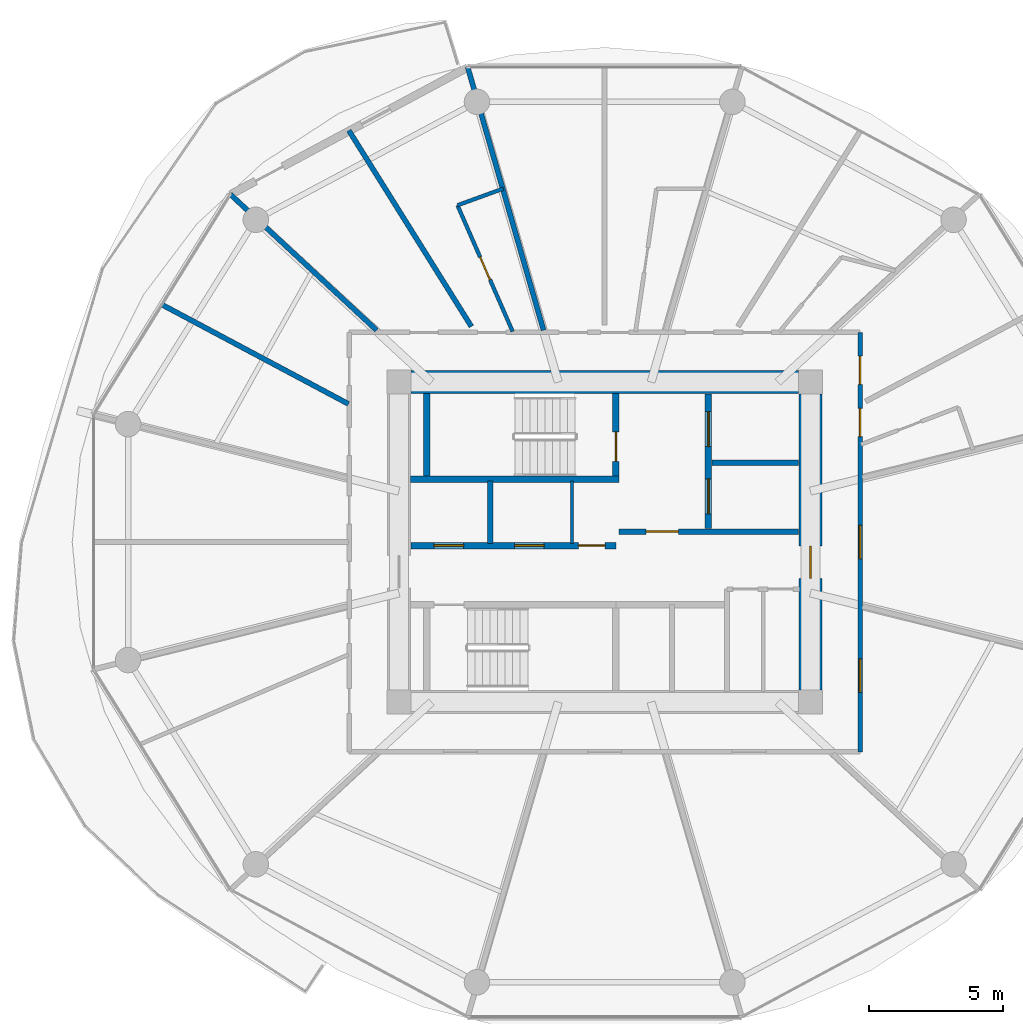
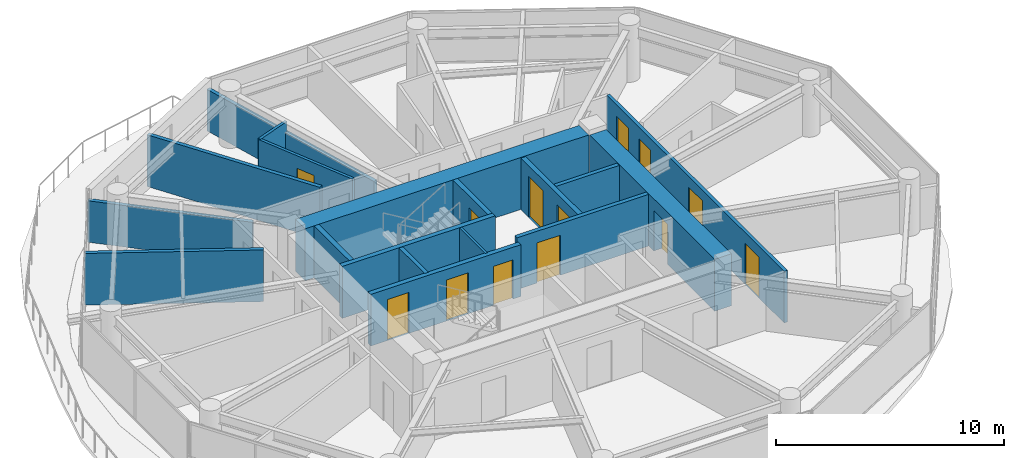
# One storey, part 16 of 27: 18 walls, 13 doors, 13 openings.
"""IFC4 building model written with IfcOpenShell, lengths in metres."""

from ifc_helpers import new_model, si_unit, direction, frame, frame_2d, origin, place, context, subcontext, project, spatial, rectangle, extrude, source, transform, mapped, material, layer, layer_set, type_object, type_shapes, element, fill, save


model = new_model("IFC4")

# Units and contexts
model_context = context("Model", 3, precision=1e-05, world=origin(), true_north=direction((0.0, 1.0)))
body_context = subcontext(model_context, "Body", "Model", "MODEL_VIEW")
ifc_project = project(units=[si_unit("LENGTHUNIT", "METRE"), si_unit("AREAUNIT", "SQUARE_METRE"), si_unit("VOLUMEUNIT", "CUBIC_METRE"), si_unit("PLANEANGLEUNIT", "RADIAN"), si_unit("MASSUNIT", "GRAM", prefix="KILO")], contexts=[model_context])

# Site, building, storey
site_placement = place(None, origin())
site = spatial("IfcSite", under=ifc_project, at=site_placement, CompositionType="ELEMENT")
building_placement = place(site_placement, origin())
building = spatial("IfcBuilding", under=site, at=building_placement, Name="Norrkilde Senior Care Towers", CompositionType="ELEMENT")
storey_placement = place(building_placement, frame((0.0, 0.0, 30.75)))
storey = spatial("IfcBuildingStorey", under=building, at=storey_placement, Name="L08", CompositionType="ELEMENT", Elevation=30.75)

# Wall
ifc_material_1 = material(Name="Concrete C60/75", Category="concrete")
ifc_layer_1 = layer(ifc_material_1, 0.85009765625)
ifc_layer_set_1 = layer_set([ifc_layer_1], Name="Concrete C60/75")
wall_type_1 = type_object("IfcWallType", Name="Core Shear Wall Z1 850", PredefinedType="SHEAR", material=ifc_layer_set_1)
shared_shape_1 = source(origin(), body_context, "Body", "SweptSolid", [
    extrude(rectangle(XDim=14.39990234375, YDim=0.85009765625, at=frame_2d((7.199951171875, 0.0))), origin(), (0.0, 0.0, 1.0), 2.7900390625),
])
wall_1_placement = place(storey_placement, frame((-35.199951171875, 5.949951171875, 0.0), z_axis=(0.0, 0.0, 1.0), x_axis=(1.0, 0.0, 0.0)))
element("IfcWall", 1, at=wall_1_placement, inside=storey, type_object=wall_type_1, Name="L08 Core W North Shear Wall", PredefinedType="SHEAR", context=body_context, shape_type="MappedRepresentation", body=[
    mapped(shared_shape_1, transform((0.0, 0.0, 0.0), x_axis=(1.0, 0.0, 0.0), y_axis=(0.0, 1.0, 0.0), z_axis=(0.0, 0.0, 1.0), scale=1.0)),
])

# Wall, opening, door
shared_shape_2 = source(origin(), body_context, "Body", "SweptSolid", [
    extrude(rectangle(XDim=11.0, YDim=0.85009765625, at=frame_2d((5.5, 0.0))), origin(), (0.0, 0.0, 1.0), 2.7900390625),
])
type_shapes(wall_type_1, [shared_shape_1, shared_shape_2])
wall_2_placement = place(storey_placement, frame((-20.35009765625, 5.5, 0.0), z_axis=(0.0, 0.0, 1.0), x_axis=(0.0, -1.0, 0.0)))
wall_2 = element("IfcWall", 2, at=wall_2_placement, inside=storey, type_object=wall_type_1, Name="L08 Core W East Shear Wall", PredefinedType="SHEAR", context=body_context, shape_type="MappedRepresentation", body=[
    mapped(shared_shape_2, transform((0.0, 0.0, 0.0), x_axis=(1.0, 0.0, 0.0), y_axis=(0.0, 1.0, 0.0), z_axis=(0.0, 0.0, 1.0), scale=1.0)),
])
opening_1_placement = place(wall_2_placement, frame((5.64990234375, 0.0, 0.0)))
opening_1 = element("IfcOpeningElement", 3, at=opening_1_placement, cuts=wall_2, Name="Opening D-04", PredefinedType="OPENING", context=body_context, shape_type="SweptSolid", body=[
    extrude(rectangle(XDim=1.199951171875, YDim=2.14990234375, at=frame_2d((0.60009765625, 1.074951171875))), frame((0.0, 0.43505859375, 0.0), z_axis=(0.0, -1.0, 0.0), x_axis=(1.0, 0.0, 0.0)), (0.0, 0.0, 1.0), 0.8701171875),
])
ifc_material_2 = material(Name="Galvanised Painted Steel", Category="steel")
door_type_1 = type_object("IfcDoorType", Name="Firefighting Lobby Fire Door 1200x2150", OperationType="NOTDEFINED", PredefinedType="DOOR", material=ifc_material_2)
shared_shape_3 = source(origin(), body_context, "Body", "SweptSolid", [
    extrude(rectangle(XDim=1.199951171875, YDim=2.14990234375, at=frame_2d((0.60009765625, 1.074951171875))), frame((0.0, 0.02490234375, 0.0), z_axis=(0.0, -1.0, 0.0), x_axis=(1.0, 0.0, 0.0)), (0.0, 0.0, 1.0), 0.050048828125),
])
type_shapes(door_type_1, [shared_shape_3])
door_1_placement = place(opening_1_placement, frame((1.199951171875, 0.0, 0.0), z_axis=(0.0, 0.0, 1.0), x_axis=(-1.0, 0.0, 0.0)))
door_1 = element("IfcDoor", 4, at=door_1_placement, inside=storey, type_object=door_type_1, Name="L08 Core W East Portal Door", OperationType="SINGLE_SWING_RIGHT", OverallHeight=2.14990234375, OverallWidth=1.199951171875, PredefinedType="DOOR", context=body_context, shape_type="MappedRepresentation", body=[
    mapped(shared_shape_3, transform((0.0, 0.0, 0.0), x_axis=(1.0, 0.0, 0.0), y_axis=(0.0, 1.0, 0.0), z_axis=(0.0, 0.0, 1.0), scale=1.0)),
])
fill(opening_1, door_1)

# Wall, openings, doors
ifc_material_3 = material(Name="Concrete C45/55", Category="concrete")
ifc_layer_2 = layer(ifc_material_3, 0.239990234375)
ifc_layer_set_2 = layer_set([ifc_layer_2], Name="Concrete C45/55")
wall_type_2 = type_object("IfcWallType", Name="Lift and Plant Rated Enclosure Partition 240", PredefinedType="PARTITIONING", material=ifc_layer_set_2)
shared_shape_4 = source(origin(), body_context, "Body", "SweptSolid", [
    extrude(rectangle(XDim=5.0, YDim=0.239990234375, at=frame_2d((2.5, 0.0))), origin(), (0.0, 0.0, 1.0), 2.77490234375),
])
wall_3_placement = place(storey_placement, frame((-24.139892578125, 0.5, 0.0), z_axis=(0.0, 0.0, 1.0), x_axis=(0.0, 1.0, 0.0)))
wall_3 = element("IfcWall", 5, at=wall_3_placement, inside=storey, type_object=wall_type_2, Name="WL-INT-L08-W-FFLE", PredefinedType="PARTITIONING", context=body_context, shape_type="MappedRepresentation", body=[
    mapped(shared_shape_4, transform((0.0, 0.0, 0.0), x_axis=(1.0, 0.0, 0.0), y_axis=(0.0, 1.0, 0.0), z_axis=(0.0, 0.0, 1.0), scale=1.0)),
])
opening_2_placement = place(wall_3_placement, frame((3.050048828125, 0.0, 0.0)))
opening_2 = element("IfcOpeningElement", 6, at=opening_2_placement, cuts=wall_3, Name="Opening LD-02", PredefinedType="OPENING", context=body_context, shape_type="SweptSolid", body=[
    extrude(rectangle(XDim=1.300048828125, YDim=2.199951171875, at=frame_2d((0.64990234375, 1.10009765625))), frame((0.0, 0.1298828125, 0.0), z_axis=(0.0, -1.0, 0.0), x_axis=(1.0, 0.0, 0.0)), (0.0, 0.0, 1.0), 0.260009765625),
])
opening_3_placement = place(wall_3_placement, frame((0.550048828125, 0.0, 0.0)))
opening_3 = element("IfcOpeningElement", 7, at=opening_3_placement, cuts=wall_3, Name="Opening LD-02", PredefinedType="OPENING", context=body_context, shape_type="SweptSolid", body=[
    extrude(rectangle(XDim=1.300048828125, YDim=2.199951171875, at=frame_2d((0.64990234375, 1.10009765625))), frame((0.0, 0.1298828125, 0.0), z_axis=(0.0, -1.0, 0.0), x_axis=(1.0, 0.0, 0.0)), (0.0, 0.0, 1.0), 0.260009765625),
])
ifc_material_4 = material(Name="Stainless Steel", Category="steel")
door_type_2 = type_object("IfcDoorType", Name="Stretcher and FFL Landing Sliding Door 1300x2200", OperationType="NOTDEFINED", PredefinedType="DOOR", material=ifc_material_4)
shared_shape_5 = source(origin(), body_context, "Body", "SweptSolid", [
    extrude(rectangle(XDim=1.300048828125, YDim=2.199951171875, at=frame_2d((0.64990234375, 1.10009765625))), frame((0.0, 0.02490234375, 0.0), z_axis=(0.0, -1.0, 0.0), x_axis=(1.0, 0.0, 0.0)), (0.0, 0.0, 1.0), 0.050048828125),
])
type_shapes(door_type_2, [shared_shape_5])
door_2_placement = place(opening_2_placement, origin())
door_2 = element("IfcDoor", 8, at=door_2_placement, inside=storey, type_object=door_type_2, Name="L08 Firefighting Lift W1 Landing Door", OperationType="SLIDING_TO_LEFT", OverallHeight=2.199951171875, OverallWidth=1.300048828125, PredefinedType="DOOR", context=body_context, shape_type="MappedRepresentation", body=[
    mapped(shared_shape_5, transform((0.0, 0.0, 0.0), x_axis=(1.0, 0.0, 0.0), y_axis=(0.0, 1.0, 0.0), z_axis=(0.0, 0.0, 1.0), scale=1.0)),
])
fill(opening_2, door_2)
door_3_placement = place(opening_3_placement, origin())
door_3 = element("IfcDoor", 9, at=door_3_placement, inside=storey, type_object=door_type_2, Name="L08 Stretcher Lift W1 Landing Door", OperationType="SLIDING_TO_RIGHT", OverallHeight=2.199951171875, OverallWidth=1.300048828125, PredefinedType="DOOR", context=body_context, shape_type="MappedRepresentation", body=[
    mapped(shared_shape_5, transform((0.0, 0.0, 0.0), x_axis=(1.0, 0.0, 0.0), y_axis=(0.0, 1.0, 0.0), z_axis=(0.0, 0.0, 1.0), scale=1.0)),
])
fill(opening_3, door_3)

# Wall
ifc_layer_3 = layer(ifc_material_3, 0.199951171875)
ifc_layer_set_3 = layer_set([ifc_layer_3], Name="Concrete C45/55")
wall_type_3 = type_object("IfcWallType", Name="Shaft Division and Plant Partition 200", PredefinedType="PARTITIONING", material=ifc_layer_set_3)
shared_shape_6 = source(origin(), body_context, "Body", "SweptSolid", [
    extrude(rectangle(XDim=3.199951171875, YDim=0.199951171875, at=frame_2d((1.60009765625, 0.0))), origin(), (0.0, 0.0, 1.0), 2.77490234375),
])
wall_4_placement = place(storey_placement, frame((-24.0, 2.949951171875, 0.0), z_axis=(0.0, 0.0, 1.0), x_axis=(1.0, 0.0, 0.0)))
element("IfcWall", 10, at=wall_4_placement, inside=storey, type_object=wall_type_3, Name="WL-INT-L08-W-FFLDIV", PredefinedType="PARTITIONING", context=body_context, shape_type="MappedRepresentation", body=[
    mapped(shared_shape_6, transform((0.0, 0.0, 0.0), x_axis=(1.0, 0.0, 0.0), y_axis=(0.0, 1.0, 0.0), z_axis=(0.0, 0.0, 1.0), scale=1.0)),
])

# Wall, opening, door
ifc_layer_4 = layer(ifc_material_3, 0.2099609375)
ifc_layer_set_4 = layer_set([ifc_layer_4], Name="Concrete C45/55")
wall_type_4 = type_object("IfcWallType", Name="Firefighting Lobby Wall 210", PredefinedType="PARTITIONING", material=ifc_layer_set_4)
shared_shape_7 = source(origin(), body_context, "Body", "SweptSolid", [
    extrude(rectangle(XDim=6.659912109375, YDim=0.2099609375, at=frame_2d((3.330078125, 0.0))), origin(), (0.0, 0.0, 1.0), 2.77490234375),
])
type_shapes(wall_type_4, [shared_shape_7])
wall_5_placement = place(storey_placement, frame((-27.4599609375, 0.389892578125, 0.0), z_axis=(0.0, 0.0, 1.0), x_axis=(1.0, 0.0, 0.0)))
wall_5 = element("IfcWall", 11, at=wall_5_placement, inside=storey, type_object=wall_type_4, Name="WL-INT-L08-W-FFLS", PredefinedType="PARTITIONING", context=body_context, shape_type="MappedRepresentation", body=[
    mapped(shared_shape_7, transform((0.0, 0.0, 0.0), x_axis=(1.0, 0.0, 0.0), y_axis=(0.0, 1.0, 0.0), z_axis=(0.0, 0.0, 1.0), scale=1.0)),
])
opening_4_placement = place(wall_5_placement, frame((1.0, 0.0, 0.0)))
opening_4 = element("IfcOpeningElement", 12, at=opening_4_placement, cuts=wall_5, Name="Opening D-04", PredefinedType="OPENING", context=body_context, shape_type="SweptSolid", body=[
    extrude(rectangle(XDim=1.199951171875, YDim=2.14990234375, at=frame_2d((0.60009765625, 1.074951171875))), frame((0.0, 0.114990234375, 0.0), z_axis=(0.0, -1.0, 0.0), x_axis=(1.0, 0.0, 0.0)), (0.0, 0.0, 1.0), 0.22998046875),
])
door_4_placement = place(opening_4_placement, frame((1.199951171875, 0.0, 0.0), z_axis=(0.0, 0.0, 1.0), x_axis=(-1.0, 0.0, 0.0)))
door_4 = element("IfcDoor", 13, at=door_4_placement, inside=storey, type_object=door_type_1, Name="L08 Firefighting Lobby W Door", OperationType="SINGLE_SWING_LEFT", OverallHeight=2.14990234375, OverallWidth=1.199951171875, PredefinedType="DOOR", context=body_context, shape_type="MappedRepresentation", body=[
    mapped(shared_shape_3, transform((0.0, 0.0, 0.0), x_axis=(1.0, 0.0, 0.0), y_axis=(0.0, 1.0, 0.0), z_axis=(0.0, 0.0, 1.0), scale=1.0)),
])
fill(opening_4, door_4)

# Wall, openings, doors
shared_shape_8 = source(origin(), body_context, "Body", "SweptSolid", [
    extrude(rectangle(XDim=7.619873046875, YDim=0.239990234375, at=frame_2d((3.81005859375, 0.0))), origin(), (0.0, 0.0, 1.0), 2.77490234375),
])
type_shapes(wall_type_2, [shared_shape_4, shared_shape_8])
wall_6_placement = place(storey_placement, frame((-35.199951171875, -0.1298828125, 0.0), z_axis=(0.0, 0.0, 1.0), x_axis=(1.0, 0.0, 0.0)))
wall_6 = element("IfcWall", 14, at=wall_6_placement, inside=storey, type_object=wall_type_2, Name="WL-INT-L08-W-PKAS", PredefinedType="PARTITIONING", context=body_context, shape_type="MappedRepresentation", body=[
    mapped(shared_shape_8, transform((0.0, 0.0, 0.0), x_axis=(1.0, 0.0, 0.0), y_axis=(0.0, 1.0, 0.0), z_axis=(0.0, 0.0, 1.0), scale=1.0)),
])
opening_5_placement = place(wall_6_placement, frame((6.219970703125, 0.0, 0.0)))
opening_5 = element("IfcOpeningElement", 15, at=opening_5_placement, cuts=wall_6, Name="Opening D-10", PredefinedType="OPENING", context=body_context, shape_type="SweptSolid", body=[
    extrude(rectangle(XDim=1.0, YDim=2.10009765625, at=frame_2d((0.5, 1.050048828125))), frame((0.0, 0.1298828125, 0.0), z_axis=(0.0, -1.0, 0.0), x_axis=(1.0, 0.0, 0.0)), (0.0, 0.0, 1.0), 0.260009765625),
])
opening_6_placement = place(wall_6_placement, frame((0.85009765625, 0.0, 0.0)))
opening_6 = element("IfcOpeningElement", 16, at=opening_6_placement, cuts=wall_6, Name="Opening LD-01", PredefinedType="OPENING", context=body_context, shape_type="SweptSolid", body=[
    extrude(rectangle(XDim=1.10009765625, YDim=2.199951171875, at=frame_2d((0.550048828125, 1.10009765625))), frame((0.0, 0.1298828125, 0.0), z_axis=(0.0, -1.0, 0.0), x_axis=(1.0, 0.0, 0.0)), (0.0, 0.0, 1.0), 0.260009765625),
])
opening_7_placement = place(wall_6_placement, frame((3.85009765625, 0.0, 0.0)))
opening_7 = element("IfcOpeningElement", 17, at=opening_7_placement, cuts=wall_6, Name="Opening LD-01", PredefinedType="OPENING", context=body_context, shape_type="SweptSolid", body=[
    extrude(rectangle(XDim=1.10009765625, YDim=2.199951171875, at=frame_2d((0.550048828125, 1.10009765625))), frame((0.0, 0.1298828125, 0.0), z_axis=(0.0, -1.0, 0.0), x_axis=(1.0, 0.0, 0.0)), (0.0, 0.0, 1.0), 0.260009765625),
])
door_type_3 = type_object("IfcDoorType", Name="Plant and Riser Rated Door 1000x2100", OperationType="NOTDEFINED", PredefinedType="DOOR", material=ifc_material_2)
shared_shape_9 = source(origin(), body_context, "Body", "SweptSolid", [
    extrude(rectangle(XDim=1.0, YDim=2.10009765625, at=frame_2d((0.5, 1.050048828125))), frame((0.0, 0.02490234375, 0.0), z_axis=(0.0, -1.0, 0.0), x_axis=(1.0, 0.0, 0.0)), (0.0, 0.0, 1.0), 0.050048828125),
])
type_shapes(door_type_3, [shared_shape_9])
door_5_placement = place(opening_5_placement, frame((1.0, 0.0, 0.0), z_axis=(0.0, 0.0, 1.0), x_axis=(-1.0, 0.0, 0.0)))
door_5 = element("IfcDoor", 18, at=door_5_placement, inside=storey, type_object=door_type_3, Name="L08 Electrical Riser W Door", OperationType="SINGLE_SWING_LEFT", OverallHeight=2.10009765625, OverallWidth=1.0, PredefinedType="DOOR", context=body_context, shape_type="MappedRepresentation", body=[
    mapped(shared_shape_9, transform((0.0, 0.0, 0.0), x_axis=(1.0, 0.0, 0.0), y_axis=(0.0, 1.0, 0.0), z_axis=(0.0, 0.0, 1.0), scale=1.0)),
])
fill(opening_5, door_5)
door_type_4 = type_object("IfcDoorType", Name="Lift Landing Sliding Door 1100x2200", OperationType="NOTDEFINED", PredefinedType="DOOR", material=ifc_material_4)
shared_shape_10 = source(origin(), body_context, "Body", "SweptSolid", [
    extrude(rectangle(XDim=1.10009765625, YDim=2.199951171875, at=frame_2d((0.550048828125, 1.10009765625))), frame((0.0, 0.02490234375, 0.0), z_axis=(0.0, -1.0, 0.0), x_axis=(1.0, 0.0, 0.0)), (0.0, 0.0, 1.0), 0.050048828125),
])
type_shapes(door_type_4, [shared_shape_10])
door_6_placement = place(opening_6_placement, origin())
door_6 = element("IfcDoor", 19, at=door_6_placement, inside=storey, type_object=door_type_4, Name="L08 Passenger Lift W1 Landing Door", OperationType="SLIDING_TO_LEFT", OverallHeight=2.199951171875, OverallWidth=1.10009765625, PredefinedType="DOOR", context=body_context, shape_type="MappedRepresentation", body=[
    mapped(shared_shape_10, transform((0.0, 0.0, 0.0), x_axis=(1.0, 0.0, 0.0), y_axis=(0.0, 1.0, 0.0), z_axis=(0.0, 0.0, 1.0), scale=1.0)),
])
fill(opening_6, door_6)
door_7_placement = place(opening_7_placement, origin())
door_7 = element("IfcDoor", 20, at=door_7_placement, inside=storey, type_object=door_type_4, Name="L08 Passenger Lift W2 Landing Door", OperationType="SLIDING_TO_RIGHT", OverallHeight=2.199951171875, OverallWidth=1.10009765625, PredefinedType="DOOR", context=body_context, shape_type="MappedRepresentation", body=[
    mapped(shared_shape_10, transform((0.0, 0.0, 0.0), x_axis=(1.0, 0.0, 0.0), y_axis=(0.0, 1.0, 0.0), z_axis=(0.0, 0.0, 1.0), scale=1.0)),
])
fill(opening_7, door_7)

# Walls
ifc_material_5 = material(Name="Gypsum Acoustic Board")
ifc_layer_5 = layer(ifc_material_5, 0.114990234375)
ifc_layer_set_5 = layer_set([ifc_layer_5], Name="Gypsum Acoustic Board")
wall_type_5 = type_object("IfcWallType", Name="Internal Room Partition 115", PredefinedType="PARTITIONING", material=ifc_layer_set_5)
shared_shape_11 = source(origin(), body_context, "Body", "SweptSolid", [
    extrude(rectangle(XDim=2.330078125, YDim=0.114990234375, at=frame_2d((1.1650390625, 0.0))), origin(), (0.0, 0.0, 1.0), 2.77490234375),
])
type_shapes(wall_type_5, [shared_shape_11])
wall_7_placement = place(storey_placement, frame((-29.2099609375, -0.050048828125, 0.0), z_axis=(0.0, 0.0, 1.0), x_axis=(0.0, 1.0, 0.0)))
element("IfcWall", 21, at=wall_7_placement, inside=storey, type_object=wall_type_5, Name="WL-INT-L08-W-RISW", PredefinedType="PARTITIONING", context=body_context, shape_type="MappedRepresentation", body=[
    mapped(shared_shape_11, transform((0.0, 0.0, 0.0), x_axis=(1.0, 0.0, 0.0), y_axis=(0.0, 1.0, 0.0), z_axis=(0.0, 0.0, 1.0), scale=1.0)),
])
shared_shape_12 = source(origin(), body_context, "Body", "SweptSolid", [
    extrude(rectangle(XDim=2.330078125, YDim=0.199951171875, at=frame_2d((1.1650390625, 0.0))), origin(), (0.0, 0.0, 1.0), 2.77490234375),
])
type_shapes(wall_type_3, [shared_shape_6, shared_shape_12])
wall_8_placement = place(storey_placement, frame((-32.25, -0.050048828125, 0.0), z_axis=(0.0, 0.0, 1.0), x_axis=(0.0, 1.0, 0.0)))
element("IfcWall", 22, at=wall_8_placement, inside=storey, type_object=wall_type_3, Name="WL-INT-L08-W-PL12", PredefinedType="PARTITIONING", context=body_context, shape_type="MappedRepresentation", body=[
    mapped(shared_shape_12, transform((0.0, 0.0, 0.0), x_axis=(1.0, 0.0, 0.0), y_axis=(0.0, 1.0, 0.0), z_axis=(0.0, 0.0, 1.0), scale=1.0)),
])

# Wall, openings, doors
ifc_layer_6 = layer(ifc_material_5, 0.1650390625)
ifc_layer_set_6 = layer_set([ifc_layer_6], Name="Gypsum Acoustic Board")
wall_type_6 = type_object("IfcWallType", Name="Corridor Rated Partition 165", PredefinedType="PARTITIONING", material=ifc_layer_set_6)
shared_shape_13 = source(origin(), body_context, "Body", "SweptSolid", [
    extrude(rectangle(XDim=15.60009765625, YDim=0.1650390625, at=frame_2d((7.800048828125, 0.0))), origin(), (0.0, 0.0, 1.0), 2.77490234375),
])
type_shapes(wall_type_6, [shared_shape_13])
wall_9_placement = place(storey_placement, frame((-18.5, 7.800048828125, 0.0), z_axis=(0.0, 0.0, 1.0), x_axis=(0.0, -1.0, 0.0)))
wall_9 = element("IfcWall", 23, at=wall_9_placement, inside=storey, type_object=wall_type_6, Name="WL-INT-L08-W-CRW-E-0", PredefinedType="PARTITIONING", context=body_context, shape_type="MappedRepresentation", body=[
    mapped(shared_shape_13, transform((0.0, 0.0, 0.0), x_axis=(1.0, 0.0, 0.0), y_axis=(0.0, 1.0, 0.0), z_axis=(0.0, 0.0, 1.0), scale=1.0)),
])
opening_8_placement = place(wall_9_placement, frame((12.141357421875, 0.0, 0.0)))
opening_8 = element("IfcOpeningElement", 24, at=opening_8_placement, cuts=wall_9, Name="Opening D-05", PredefinedType="OPENING", context=body_context, shape_type="SweptSolid", body=[
    extrude(rectangle(XDim=1.25, YDim=2.199951171875, at=frame_2d((0.625, 1.10009765625))), frame((0.0, 0.092529296875, 0.0), z_axis=(0.0, -1.0, 0.0), x_axis=(1.0, 0.0, 0.0)), (0.0, 0.0, 1.0), 0.18505859375),
])
opening_9_placement = place(wall_9_placement, frame((7.175048828125, 0.0, 0.0)))
opening_9 = element("IfcOpeningElement", 25, at=opening_9_placement, cuts=wall_9, Name="Opening D-05", PredefinedType="OPENING", context=body_context, shape_type="SweptSolid", body=[
    extrude(rectangle(XDim=1.25, YDim=2.199951171875, at=frame_2d((0.625, 1.10009765625))), frame((0.0, 0.092529296875, 0.0), z_axis=(0.0, -1.0, 0.0), x_axis=(1.0, 0.0, 0.0)), (0.0, 0.0, 1.0), 0.18505859375),
])
opening_10_placement = place(wall_9_placement, frame((2.826416015625, 0.0, 0.0)))
opening_10 = element("IfcOpeningElement", 26, at=opening_10_placement, cuts=wall_9, Name="Opening D-06", PredefinedType="OPENING", context=body_context, shape_type="SweptSolid", body=[
    extrude(rectangle(XDim=1.050048828125, YDim=2.14990234375, at=frame_2d((0.52490234375, 1.074951171875))), frame((0.0, 0.092529296875, 0.0), z_axis=(0.0, -1.0, 0.0), x_axis=(1.0, 0.0, 0.0)), (0.0, 0.0, 1.0), 0.18505859375),
])
opening_11_placement = place(wall_9_placement, frame((0.88134765625, 0.0, 0.0)))
opening_11 = element("IfcOpeningElement", 27, at=opening_11_placement, cuts=wall_9, Name="Opening D-06", PredefinedType="OPENING", context=body_context, shape_type="SweptSolid", body=[
    extrude(rectangle(XDim=1.050048828125, YDim=2.14990234375, at=frame_2d((0.52490234375, 1.074951171875))), frame((0.0, 0.092529296875, 0.0), z_axis=(0.0, -1.0, 0.0), x_axis=(1.0, 0.0, 0.0)), (0.0, 0.0, 1.0), 0.18505859375),
])
ifc_material_6 = material(Name="Nordic Ash Timber", Category="wood")
door_type_5 = type_object("IfcDoorType", Name="Care Bedroom Bariatric Door 1250x2200", OperationType="NOTDEFINED", PredefinedType="DOOR", material=ifc_material_6)
shared_shape_14 = source(origin(), body_context, "Body", "SweptSolid", [
    extrude(rectangle(XDim=1.25, YDim=2.199951171875, at=frame_2d((0.625, 1.10009765625))), frame((0.0, 0.02490234375, 0.0), z_axis=(0.0, -1.0, 0.0), x_axis=(1.0, 0.0, 0.0)), (0.0, 0.0, 1.0), 0.050048828125),
])
type_shapes(door_type_5, [shared_shape_14])
door_8_placement = place(opening_8_placement, frame((1.25, 0.0, 0.0), z_axis=(0.0, 0.0, 1.0), x_axis=(-1.0, 0.0, 0.0)))
door_8 = element("IfcDoor", 28, at=door_8_placement, inside=storey, type_object=door_type_5, Name="L08 Care Coordination Charting Office Door", OperationType="SINGLE_SWING_LEFT", OverallHeight=2.199951171875, OverallWidth=1.25, PredefinedType="DOOR", context=body_context, shape_type="MappedRepresentation", body=[
    mapped(shared_shape_14, transform((0.0, 0.0, 0.0), x_axis=(1.0, 0.0, 0.0), y_axis=(0.0, 1.0, 0.0), z_axis=(0.0, 0.0, 1.0), scale=1.0)),
])
fill(opening_8, door_8)
door_9_placement = place(opening_9_placement, frame((1.25, 0.0, 0.0), z_axis=(0.0, 0.0, 1.0), x_axis=(-1.0, 0.0, 0.0)))
door_9 = element("IfcDoor", 29, at=door_9_placement, inside=storey, type_object=door_type_5, Name="L08 Geriatric Rehabilitation Clinic Door", OperationType="SINGLE_SWING_RIGHT", OverallHeight=2.199951171875, OverallWidth=1.25, PredefinedType="DOOR", context=body_context, shape_type="MappedRepresentation", body=[
    mapped(shared_shape_14, transform((0.0, 0.0, 0.0), x_axis=(1.0, 0.0, 0.0), y_axis=(0.0, 1.0, 0.0), z_axis=(0.0, 0.0, 1.0), scale=1.0)),
])
fill(opening_9, door_9)
door_type_6 = type_object("IfcDoorType", Name="Apartment Entrance Fire Door 1050x2150", OperationType="NOTDEFINED", PredefinedType="DOOR", material=ifc_material_6)
shared_shape_15 = source(origin(), body_context, "Body", "SweptSolid", [
    extrude(rectangle(XDim=1.050048828125, YDim=2.14990234375, at=frame_2d((0.52490234375, 1.074951171875))), frame((0.0, 0.02490234375, 0.0), z_axis=(0.0, -1.0, 0.0), x_axis=(1.0, 0.0, 0.0)), (0.0, 0.0, 1.0), 0.050048828125),
])
type_shapes(door_type_6, [shared_shape_15])
door_10_placement = place(opening_10_placement, frame((1.050048828125, 0.0, 0.0), z_axis=(0.0, 0.0, 1.0), x_axis=(-1.0, 0.0, 0.0)))
door_10 = element("IfcDoor", 30, at=door_10_placement, inside=storey, type_object=door_type_6, Name="L08 Care Suite 0800A Entrance Door", OperationType="SINGLE_SWING_LEFT", OverallHeight=2.14990234375, OverallWidth=1.050048828125, PredefinedType="DOOR", context=body_context, shape_type="MappedRepresentation", body=[
    mapped(shared_shape_15, transform((0.0, 0.0, 0.0), x_axis=(1.0, 0.0, 0.0), y_axis=(0.0, 1.0, 0.0), z_axis=(0.0, 0.0, 1.0), scale=1.0)),
])
fill(opening_10, door_10)
door_11_placement = place(opening_11_placement, frame((1.050048828125, 0.0, 0.0), z_axis=(0.0, 0.0, 1.0), x_axis=(-1.0, 0.0, 0.0)))
door_11 = element("IfcDoor", 31, at=door_11_placement, inside=storey, type_object=door_type_6, Name="L08 Therapy Day Lounge 00 Door", OperationType="SINGLE_SWING_RIGHT", OverallHeight=2.14990234375, OverallWidth=1.050048828125, PredefinedType="DOOR", context=body_context, shape_type="MappedRepresentation", body=[
    mapped(shared_shape_15, transform((0.0, 0.0, 0.0), x_axis=(1.0, 0.0, 0.0), y_axis=(0.0, 1.0, 0.0), z_axis=(0.0, 0.0, 1.0), scale=1.0)),
])
fill(opening_11, door_11)

# Walls
ifc_layer_7 = layer(ifc_material_5, 0.18994140625)
ifc_layer_set_7 = layer_set([ifc_layer_7], Name="Gypsum Acoustic Board")
wall_type_7 = type_object("IfcWallType", Name="Unit Demising Acoustic Wall 190", PredefinedType="PARTITIONING", material=ifc_layer_set_7)
shared_shape_16 = source(origin(), body_context, "Body", "SweptSolid", [
    extrude(rectangle(XDim=8.59814453125, YDim=0.18994140625, at=frame_2d((4.299072265625, 0.0))), origin(), (0.0, 0.0, 1.0), 2.77490234375),
])
wall_10_placement = place(storey_placement, frame((-32.95703125, 8.017333984375, 0.0), z_axis=(0.0, 0.0, 1.0), x_axis=(-0.530039776395, 0.847972779893, 0.0)))
element("IfcWall", 32, at=wall_10_placement, inside=storey, type_object=wall_type_7, Name="WL-INT-L08-W-CMID-03", PredefinedType="PARTITIONING", context=body_context, shape_type="MappedRepresentation", body=[
    mapped(shared_shape_16, transform((0.0, 0.0, 0.0), x_axis=(1.0, 0.0, 0.0), y_axis=(0.0, 1.0, 0.0), z_axis=(0.0, 0.0, 1.0), scale=1.0)),
])
ifc_layer_8 = layer(ifc_material_3, 0.239990234375)
ifc_layer_set_8 = layer_set([ifc_layer_8], Name="Concrete C45/55")
wall_type_8 = type_object("IfcWallType", Name="Shaft and Stair Enclosure Wall 240", PredefinedType="PARTITIONING", material=ifc_layer_set_8)
shared_shape_17 = source(origin(), body_context, "Body", "SweptSolid", [
    extrude(rectangle(XDim=7.76513671875, YDim=0.239990234375, at=frame_2d((3.882568359375, 0.0))), origin(), (0.0, 0.0, 1.0), 2.7900390625),
])
wall_11_placement = place(storey_placement, frame((-35.22509765625, 2.330078125, 0.0), z_axis=(0.0, 0.0, 1.0), x_axis=(1.0, 0.0, 0.0)))
element("IfcWall", 33, at=wall_11_placement, inside=storey, type_object=wall_type_8, Name="WL-INT-L08-W-ST1S", PredefinedType="PARTITIONING", context=body_context, shape_type="MappedRepresentation", body=[
    mapped(shared_shape_17, transform((0.0, 0.0, 0.0), x_axis=(1.0, 0.0, 0.0), y_axis=(0.0, 1.0, 0.0), z_axis=(0.0, 0.0, 1.0), scale=1.0)),
])
shared_shape_18 = source(origin(), body_context, "Body", "SweptSolid", [
    extrude(rectangle(XDim=3.074951171875, YDim=0.239990234375, at=frame_2d((1.53759765625, 0.0))), origin(), (0.0, 0.0, 1.0), 2.7900390625),
])
type_shapes(wall_type_8, [shared_shape_17, shared_shape_18])
wall_12_placement = place(storey_placement, frame((-34.6201171875, 2.449951171875, 0.0), z_axis=(0.0, 0.0, 1.0), x_axis=(0.0, 1.0, 0.0)))
element("IfcWall", 34, at=wall_12_placement, inside=storey, type_object=wall_type_8, Name="WL-INT-L08-W-ST1W", PredefinedType="PARTITIONING", context=body_context, shape_type="MappedRepresentation", body=[
    mapped(shared_shape_18, transform((0.0, 0.0, 0.0), x_axis=(1.0, 0.0, 0.0), y_axis=(0.0, 1.0, 0.0), z_axis=(0.0, 0.0, 1.0), scale=1.0)),
])

# Wall, opening, door
wall_13_placement = place(storey_placement, frame((-27.580078125, 2.449951171875, 0.0), z_axis=(0.0, 0.0, 1.0), x_axis=(0.0, 1.0, 0.0)))
wall_13 = element("IfcWall", 35, at=wall_13_placement, inside=storey, type_object=wall_type_8, Name="WL-INT-L08-W-ST1E", PredefinedType="PARTITIONING", context=body_context, shape_type="MappedRepresentation", body=[
    mapped(shared_shape_18, transform((0.0, 0.0, 0.0), x_axis=(1.0, 0.0, 0.0), y_axis=(0.0, 1.0, 0.0), z_axis=(0.0, 0.0, 1.0), scale=1.0)),
])
opening_12_placement = place(wall_13_placement, frame((0.550048828125, 0.0, 0.0)))
opening_12 = element("IfcOpeningElement", 36, at=opening_12_placement, cuts=wall_13, Name="Opening D-03", PredefinedType="OPENING", context=body_context, shape_type="SweptSolid", body=[
    extrude(rectangle(XDim=1.10009765625, YDim=2.14990234375, at=frame_2d((0.550048828125, 1.074951171875))), frame((0.0, 0.1298828125, 0.0), z_axis=(0.0, -1.0, 0.0), x_axis=(1.0, 0.0, 0.0)), (0.0, 0.0, 1.0), 0.260009765625),
])
door_type_7 = type_object("IfcDoorType", Name="Stairwell Protected Fire Door 1100x2150", OperationType="NOTDEFINED", PredefinedType="DOOR", material=ifc_material_2)
shared_shape_19 = source(origin(), body_context, "Body", "SweptSolid", [
    extrude(rectangle(XDim=1.10009765625, YDim=2.14990234375, at=frame_2d((0.550048828125, 1.074951171875))), frame((0.0, 0.02490234375, 0.0), z_axis=(0.0, -1.0, 0.0), x_axis=(1.0, 0.0, 0.0)), (0.0, 0.0, 1.0), 0.050048828125),
])
type_shapes(door_type_7, [shared_shape_19])
door_12_placement = place(opening_12_placement, origin())
door_12 = element("IfcDoor", 37, at=door_12_placement, inside=storey, type_object=door_type_7, Name="L08 Stair W1 Fire Door", OperationType="SINGLE_SWING_LEFT", OverallHeight=2.14990234375, OverallWidth=1.10009765625, PredefinedType="DOOR", context=body_context, shape_type="MappedRepresentation", body=[
    mapped(shared_shape_19, transform((0.0, 0.0, 0.0), x_axis=(1.0, 0.0, 0.0), y_axis=(0.0, 1.0, 0.0), z_axis=(0.0, 0.0, 1.0), scale=1.0)),
])
fill(opening_12, door_12)

# Walls
shared_shape_20 = source(origin(), body_context, "Body", "SweptSolid", [
    extrude(rectangle(XDim=7.4345703125, YDim=0.18994140625, at=frame_2d((3.71728515625, 0.0))), origin(), (0.0, 0.0, 1.0), 2.22509765625),
])
wall_14_placement = place(storey_placement, frame((-36.48291015625, 7.8798828125, 0.0), z_axis=(0.0, 0.0, 1.0), x_axis=(-0.732651956848, 0.680603489652, 0.0)))
element("IfcWall", 38, at=wall_14_placement, inside=storey, type_object=wall_type_7, Name="WL-INT-L08-W-DEM-04-0", PredefinedType="PARTITIONING", context=body_context, shape_type="MappedRepresentation", body=[
    mapped(shared_shape_20, transform((0.0, 0.0, 0.0), x_axis=(1.0, 0.0, 0.0), y_axis=(0.0, 1.0, 0.0), z_axis=(0.0, 0.0, 1.0), scale=1.0)),
])
shared_shape_21 = source(origin(), body_context, "Body", "SweptSolid", [
    extrude(rectangle(XDim=10.196044921875, YDim=0.18994140625, at=frame_2d((5.09814453125, 0.0))), origin(), (0.0, 0.0, 1.0), 2.22509765625),
])
wall_15_placement = place(storey_placement, frame((-30.27294921875, 7.8798828125, 0.0), z_axis=(0.0, 0.0, 1.0), x_axis=(-0.277136420347, 0.960830580549, 0.0)))
element("IfcWall", 39, at=wall_15_placement, inside=storey, type_object=wall_type_7, Name="WL-INT-L08-W-DEM-03-0", PredefinedType="PARTITIONING", context=body_context, shape_type="MappedRepresentation", body=[
    mapped(shared_shape_21, transform((0.0, 0.0, 0.0), x_axis=(1.0, 0.0, 0.0), y_axis=(0.0, 1.0, 0.0), z_axis=(0.0, 0.0, 1.0), scale=1.0)),
])

# Wall, opening, door
ifc_layer_9 = layer(ifc_material_5, 0.139892578125)
ifc_layer_set_9 = layer_set([ifc_layer_9], Name="Gypsum Acoustic Board")
wall_type_9 = type_object("IfcWallType", Name="En-suite Wet Room Wall 140", PredefinedType="PARTITIONING", material=ifc_layer_set_9)
shared_shape_22 = source(origin(), body_context, "Body", "SweptSolid", [
    extrude(rectangle(XDim=5.125732421875, YDim=0.139892578125, at=frame_2d((2.56298828125, 0.0))), origin(), (0.0, 0.0, 1.0), 2.77490234375),
])
wall_16_placement = place(storey_placement, frame((-31.421875, 7.830078125, 0.0), z_axis=(0.0, 0.0, 1.0), x_axis=(-0.400473994842, 0.916308124735, 0.0)))
wall_16 = element("IfcWall", 40, at=wall_16_placement, inside=storey, type_object=wall_type_9, Name="WL-INT-L08-W-ES-03A", PredefinedType="PARTITIONING", context=body_context, shape_type="MappedRepresentation", body=[
    mapped(shared_shape_22, transform((0.0, 0.0, 0.0), x_axis=(1.0, 0.0, 0.0), y_axis=(0.0, 1.0, 0.0), z_axis=(0.0, 0.0, 1.0), scale=1.0)),
])
opening_13_placement = place(wall_16_placement, frame((2.102783203125, 0.0, 0.0)))
opening_13 = element("IfcOpeningElement", 41, at=opening_13_placement, cuts=wall_16, Name="Opening D-08", PredefinedType="OPENING", context=body_context, shape_type="SweptSolid", body=[
    extrude(rectangle(XDim=0.919921875, YDim=2.10009765625, at=frame_2d((0.4599609375, 1.050048828125))), frame((0.0, 0.079833984375, 0.0), z_axis=(0.0, -1.0, 0.0), x_axis=(1.0, 0.0, 0.0)), (0.0, 0.0, 1.0), 0.159912109375),
])
door_type_8 = type_object("IfcDoorType", Name="Accessible Wet Room Door 920x2100", OperationType="NOTDEFINED", PredefinedType="DOOR", material=ifc_material_6)
shared_shape_23 = source(origin(), body_context, "Body", "SweptSolid", [
    extrude(rectangle(XDim=0.919921875, YDim=2.10009765625, at=frame_2d((0.4599609375, 1.050048828125))), frame((0.0, 0.02490234375, 0.0), z_axis=(0.0, -1.0, 0.0), x_axis=(1.0, 0.0, 0.0)), (0.0, 0.0, 1.0), 0.050048828125),
])
type_shapes(door_type_8, [shared_shape_23])
door_13_placement = place(opening_13_placement, origin())
door_13 = element("IfcDoor", 42, at=door_13_placement, inside=storey, type_object=door_type_8, Name="L08 Care Suite 0803A Bathroom Door", OperationType="SINGLE_SWING_LEFT", OverallHeight=2.10009765625, OverallWidth=0.919921875, PredefinedType="DOOR", context=body_context, shape_type="MappedRepresentation", body=[
    mapped(shared_shape_23, transform((0.0, 0.0, 0.0), x_axis=(1.0, 0.0, 0.0), y_axis=(0.0, 1.0, 0.0), z_axis=(0.0, 0.0, 1.0), scale=1.0)),
])
fill(opening_13, door_13)

# Walls
shared_shape_24 = source(origin(), body_context, "Body", "SweptSolid", [
    extrude(rectangle(XDim=1.811279296875, YDim=0.139892578125, at=frame_2d((0.90576171875, 0.0))), origin(), (0.0, 0.0, 1.0), 2.77490234375),
])
type_shapes(wall_type_9, [shared_shape_22, shared_shape_24])
wall_17_placement = place(storey_placement, frame((-33.474609375, 12.52685546875, 0.0), z_axis=(0.0, 0.0, 1.0), x_axis=(0.940009682452, 0.341147764021, 0.0)))
element("IfcWall", 43, at=wall_17_placement, inside=storey, type_object=wall_type_9, Name="WL-INT-L08-W-EF-03A", PredefinedType="PARTITIONING", context=body_context, shape_type="MappedRepresentation", body=[
    mapped(shared_shape_24, transform((0.0, 0.0, 0.0), x_axis=(1.0, 0.0, 0.0), y_axis=(0.0, 1.0, 0.0), z_axis=(0.0, 0.0, 1.0), scale=1.0)),
])
shared_shape_25 = source(origin(), body_context, "Body", "SweptSolid", [
    extrude(rectangle(XDim=7.873291015625, YDim=0.18994140625, at=frame_2d((3.9365234375, 0.0))), origin(), (0.0, 0.0, 1.0), 2.77490234375),
])
type_shapes(wall_type_7, [shared_shape_16, shared_shape_20, shared_shape_21, shared_shape_25])
wall_18_placement = place(storey_placement, frame((-37.530029296875, 5.1376953125, 0.0), z_axis=(0.0, 0.0, 1.0), x_axis=(-0.882666052726, 0.470000680175, 0.0)))
element("IfcWall", 44, at=wall_18_placement, inside=storey, type_object=wall_type_7, Name="WL-INT-L08-W-MID-04", PredefinedType="PARTITIONING", context=body_context, shape_type="MappedRepresentation", body=[
    mapped(shared_shape_25, transform((0.0, 0.0, 0.0), x_axis=(1.0, 0.0, 0.0), y_axis=(0.0, 1.0, 0.0), z_axis=(0.0, 0.0, 1.0), scale=1.0)),
])

save(model, "model.ifc")
